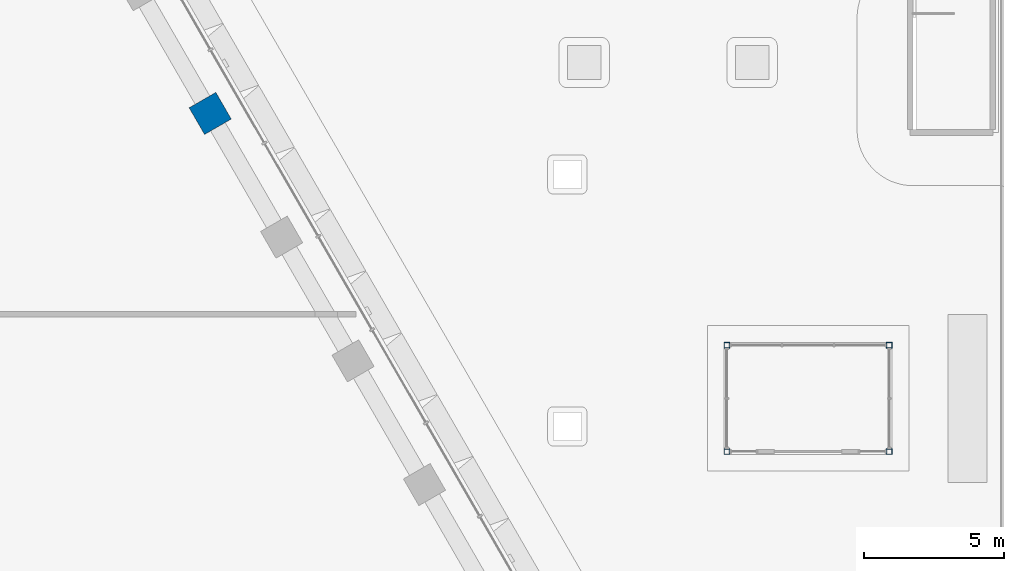
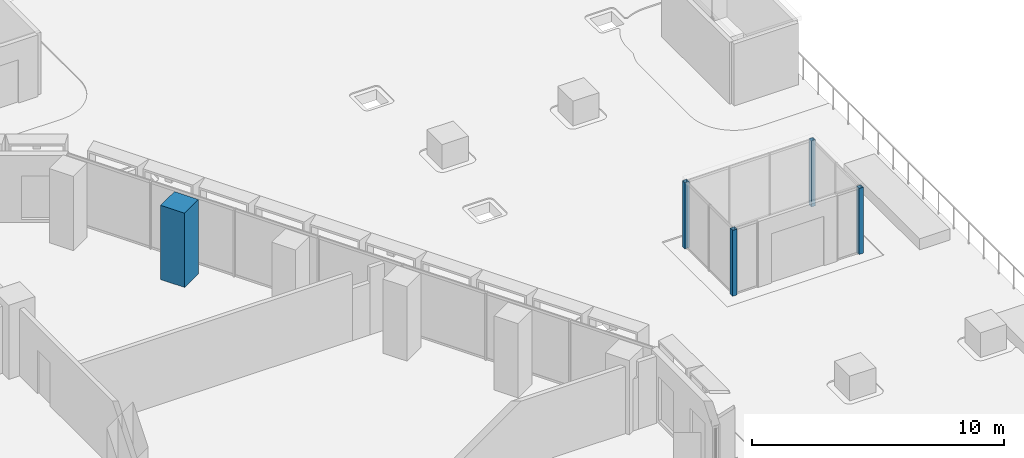
# One storey, part 4 of 38: 5 columns.
"""IFC4 building model written with IfcOpenShell, lengths in metres."""

from ifc_helpers import new_model, si_unit, direction, frame, origin, origin_2d, place, context, subcontext, project, spatial, rectangle, hollow_rectangle, extrude, material, material_profile, profile_set, type_object, element, save


model = new_model("IFC4")

# Units and contexts
model_context = context("Model", 3, precision=1e-05, world=origin(), true_north=direction((0.0, 1.0)))
body_context = subcontext(model_context, "Body", "Model", "MODEL_VIEW")
ifc_project = project(units=[si_unit("LENGTHUNIT", "METRE"), si_unit("AREAUNIT", "SQUARE_METRE"), si_unit("VOLUMEUNIT", "CUBIC_METRE"), si_unit("PLANEANGLEUNIT", "RADIAN"), si_unit("MASSUNIT", "GRAM", prefix="KILO")], contexts=[model_context])

# Site, building, storey
site_placement = place(None, origin())
site = spatial("IfcSite", under=ifc_project, at=site_placement, CompositionType="ELEMENT")
building_placement = place(site_placement, origin())
building = spatial("IfcBuilding", under=site, at=building_placement, Name="Beryl Residences", CompositionType="ELEMENT")
storey_placement = place(building_placement, frame((0.0, 0.0, 9.0)))
storey = spatial("IfcBuildingStorey", under=building, at=storey_placement, Name="L02", CompositionType="ELEMENT", Elevation=9.0)

# Columns
ifc_material_1 = material(Name="Concrete C80/95", Category="concrete")
ifc_material_profile_1 = material_profile(ifc_material_1, rectangle(XDim=1.10009765625, YDim=1.10009765625, at=origin_2d()))
ifc_profile_set_1 = profile_set([ifc_material_profile_1], Name="Concrete C80/95")
column_type_1 = type_object("IfcColumnType", Name="C1 tube column 1100 x 1100 C80/95", PredefinedType="COLUMN", material=ifc_profile_set_1)
column_placement = place(storey_placement, frame((19.64111328125, 20.180908203125, 0.0), z_axis=(0.0, 0.0, 1.0), x_axis=(-0.499984884929, 0.866034130299, 0.0)))
element("IfcColumn", 1, at=column_placement, inside=storey, type_object=column_type_1, Name="C1-NE5 L02", PredefinedType="COLUMN", context=body_context, shape_type="SweptSolid", body=[
    extrude(rectangle(XDim=1.10009765625, YDim=1.10009765625, at=origin_2d()), origin(), (0.0, 0.0, 1.0), 3.60009765625),
])
ifc_material_2 = material(Name="Steel S355", Category="steel")
ifc_material_profile_2 = material_profile(ifc_material_2, hollow_rectangle(XDim=0.199951171875, YDim=0.199951171875, WallThickness=0.010009765625, at=origin_2d()))
ifc_profile_set_2 = profile_set([ifc_material_profile_2], Name="Steel S355")
column_type_2 = type_object("IfcColumnType", Name="PC1 pavilion column 200 mm", PredefinedType="COLUMN", material=ifc_profile_set_2)
for number, where, z_axis, x_axis, name in (
    (2, (38.10009765625, 8.10009765625, 0.0), (0.0, 0.0, 1.0), (1.0, 0.0, 0.0), "PC1 pavilion column 2.1"),
    (3, (38.10009765625, 11.89990234375, 0.0), (0.0, 0.0, 1.0), (1.0, 0.0, 0.0), "PC1 pavilion column 2.2"),
    (4, (43.89990234375, 8.10009765625, 0.0), (0.0, 0.0, 1.0), (1.0, 0.0, 0.0), "PC1 pavilion column 2.3"),
    (5, (43.89990234375, 11.89990234375, 0.0), (0.0, 0.0, 1.0), (1.0, 0.0, 0.0), "PC1 pavilion column 2.4"),
):
    element("IfcColumn", number, at=place(storey_placement, frame(where, z_axis=z_axis, x_axis=x_axis)), inside=storey, type_object=column_type_2, Name=name, PredefinedType="COLUMN", context=body_context, shape_type="SweptSolid", body=[
        extrude(hollow_rectangle(XDim=0.199951171875, YDim=0.199951171875, WallThickness=0.010009765625, at=origin_2d()), origin(), (0.0, 0.0, 1.0), 3.199951171875),
    ])

save(model, "model.ifc")
